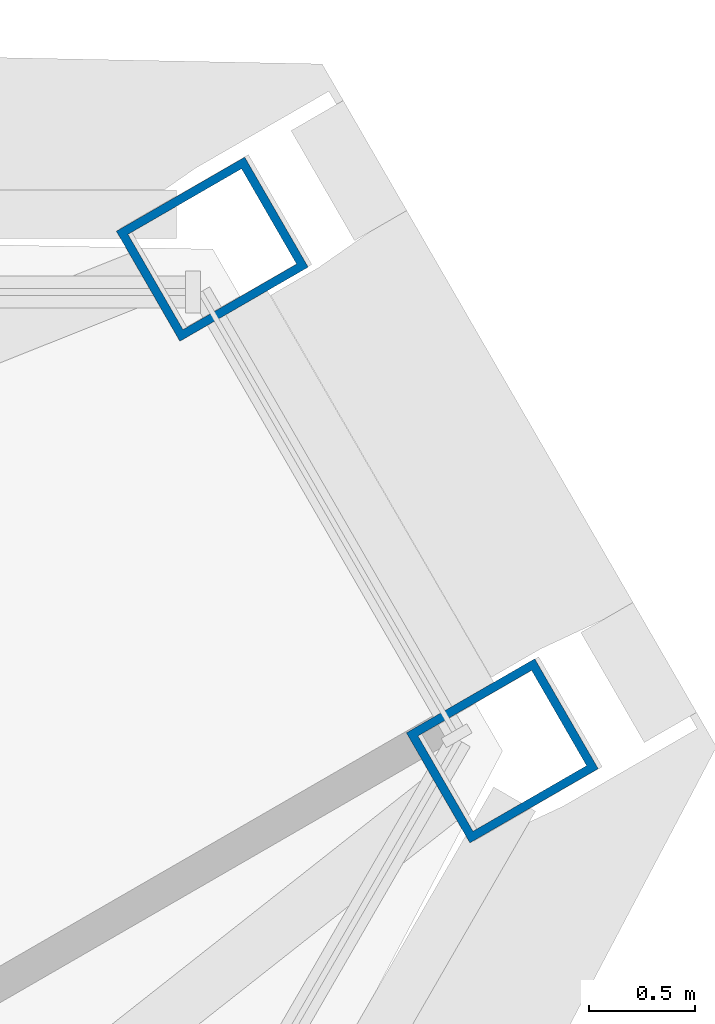
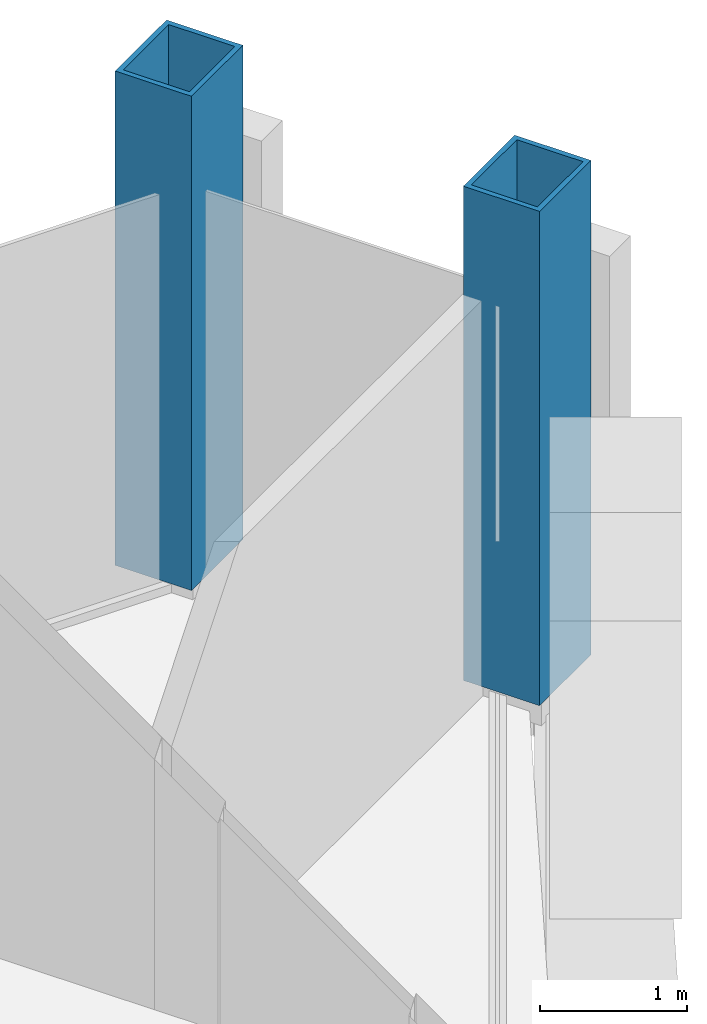
# One storey, part 2 of 13: 2 columns.
"""IFC4 building model written with IfcOpenShell, lengths in metres."""

from ifc_helpers import new_model, si_unit, direction, frame, origin, origin_2d, place, context, subcontext, project, spatial, hollow_rectangle, extrude, material, material_profile, profile_set, type_object, element, save


model = new_model("IFC4")

# Units and contexts
model_context = context("Model", 3, precision=1e-05, world=origin(), true_north=direction((0.0, 1.0)))
body_context = subcontext(model_context, "Body", "Model", "MODEL_VIEW")
ifc_project = project(units=[si_unit("LENGTHUNIT", "METRE"), si_unit("AREAUNIT", "SQUARE_METRE"), si_unit("VOLUMEUNIT", "CUBIC_METRE"), si_unit("PLANEANGLEUNIT", "RADIAN"), si_unit("MASSUNIT", "GRAM", prefix="KILO")], contexts=[model_context])

# Site, building, storey
site_placement = place(None, origin())
site = spatial("IfcSite", under=ifc_project, at=site_placement, CompositionType="ELEMENT")
building_placement = place(site_placement, origin())
building = spatial("IfcBuilding", under=site, at=building_placement, Name="Verrane Prism Tower", CompositionType="ELEMENT")
storey_placement = place(building_placement, frame((0.0, 0.0, 308.39990234375)))
storey = spatial("IfcBuildingStorey", under=building, at=storey_placement, Name="L78", CompositionType="ELEMENT", Elevation=308.39990234375)

# Columns
ifc_material = material(Name="Steel A572 Grade 50", Category="steel")
ifc_material_profile = material_profile(ifc_material, hollow_rectangle(XDim=0.60009765625, YDim=0.699951171875, WallThickness=0.0400390625, at=origin_2d()), Name="BOX 700x600x40")
ifc_profile_set = profile_set([ifc_material_profile], Name="Steel A572 Grade 50")
column_type = type_object("IfcColumnType", Name="Megacolumn BOX 700x600x40", PredefinedType="COLUMN", material=ifc_profile_set)
for number, where, z_axis, x_axis, name in (
    (1, (19.169921875, 12.64990234375, 0.090087890625), (0.0, 0.0, 1.0), (0.5, -0.866025403784, 0.0), "Megacolumn MC-NE.b L78"),
    (2, (20.5400390625, 10.280029296875, 0.090087890625), (0.0, 0.0, 1.0), (0.5, -0.866025403784, 0.0), "Megacolumn MC-NE.a L78"),
):
    element("IfcColumn", number, at=place(storey_placement, frame(where, z_axis=z_axis, x_axis=x_axis)), inside=storey, type_object=column_type, Name=name, PredefinedType="COLUMN", context=body_context, shape_type="SweptSolid", body=[
        extrude(hollow_rectangle(XDim=0.60009765625, YDim=0.699951171875, WallThickness=0.0400390625, at=origin_2d()), origin(), (0.0, 0.0, 1.0), 4.110107421875),
    ])

save(model, "model.ifc")
